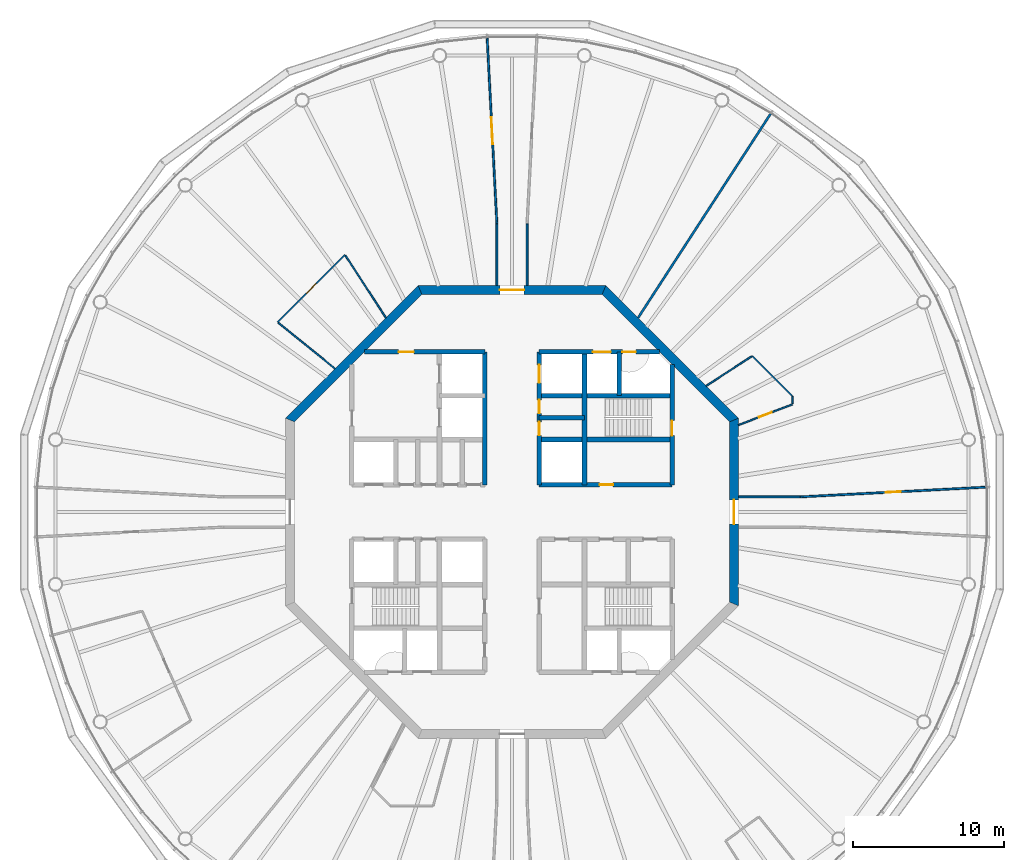
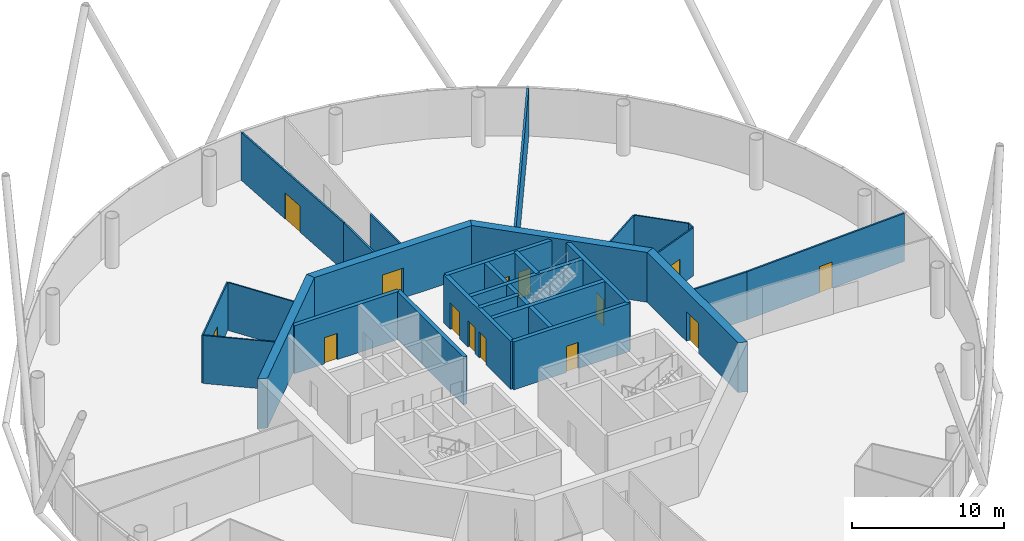
# One storey, part 5 of 13: 28 walls, 14 doors, 14 openings.
"""IFC4 building model written with IfcOpenShell, lengths in metres."""

from ifc_helpers import new_model, si_unit, direction, frame, frame_2d, origin, place, context, subcontext, project, spatial, polyline, rectangle, outline, extrude, material, layer, layer_set, type_object, element, fill, save


model = new_model("IFC4")

# Units and contexts
model_context = context("Model", 3, precision=1e-05, world=origin(), true_north=direction((0.0, 1.0)))
body_context = subcontext(model_context, "Body", "Model", "MODEL_VIEW")
ifc_project = project(units=[si_unit("LENGTHUNIT", "METRE"), si_unit("AREAUNIT", "SQUARE_METRE"), si_unit("VOLUMEUNIT", "CUBIC_METRE"), si_unit("PLANEANGLEUNIT", "RADIAN"), si_unit("MASSUNIT", "GRAM", prefix="KILO")], contexts=[model_context])

# Site, building, storey
site_placement = place(None, origin())
site = spatial("IfcSite", under=ifc_project, at=site_placement, CompositionType="ELEMENT")
building_placement = place(site_placement, origin())
building = spatial("IfcBuilding", under=site, at=building_placement, Name="Entoto Ring Tower", CompositionType="ELEMENT")
storey_placement = place(building_placement, frame((0.0, 0.0, 372.0)))
storey = spatial("IfcBuildingStorey", under=building, at=storey_placement, Name="L86", CompositionType="ELEMENT", Elevation=372.0)

# Wall, opening, door
ifc_material_1 = material(Name="Concrete C40/50", Category="concrete")
ifc_layer_1 = layer(ifc_material_1, 0.300048828125)
ifc_layer_set_1 = layer_set([ifc_layer_1], Name="Concrete C40/50")
wall_type_1 = type_object("IfcWallType", Name="Core enclosure wall 300 mm reinforced concrete", PredefinedType="SOLIDWALL", material=ifc_layer_set_1)
wall_1_placement = place(storey_placement, frame((100.60009765625, 81.800048828125, 0.0), z_axis=(0.0, 0.0, 1.0), x_axis=(0.0, 1.0, 0.0)))
wall_1 = element("IfcWall", 1, at=wall_1_placement, inside=storey, type_object=wall_type_1, Name="wall-L86-002", PredefinedType="SOLIDWALL", context=body_context, shape_type="SweptSolid", body=[
    extrude(rectangle(XDim=7.964599609375, YDim=0.300048828125, at=frame_2d((3.982421875, 0.0))), origin(), (0.0, 0.0, 1.0), 3.85009765625),
])
opening_1_placement = place(wall_1_placement, frame((3.25, 0.0, 0.0)))
opening_1 = element("IfcOpeningElement", 2, at=opening_1_placement, cuts=wall_1, Name="Opening K-26", PredefinedType="OPENING", context=body_context, shape_type="SweptSolid", body=[
    extrude(rectangle(XDim=1.0, YDim=2.10009765625, at=frame_2d((0.5, 1.050048828125))), frame((0.0, 0.16015625, 0.0), z_axis=(0.0, -1.0, 0.0), x_axis=(1.0, 0.0, 0.0)), (0.0, 0.0, 1.0), 0.320068359375),
])
ifc_material_2 = material(Name="Steel door leaf, fire rated", Category="steel")
ifc_layer_2 = layer(ifc_material_2, 0.050048828125)
ifc_layer_set_2 = layer_set([ifc_layer_2], Name="Steel door leaf, fire rated")
door_type_1 = type_object("IfcDoorType", Name="Fire door FD60 1000 x 2100 single leaf", OperationType="NOTDEFINED", PredefinedType="DOOR", material=ifc_layer_set_2)
door_1_placement = place(opening_1_placement, origin())
door_1 = element("IfcDoor", 3, at=door_1_placement, inside=storey, type_object=door_type_1, Name="Door K-26", OperationType="SINGLE_SWING_LEFT", OverallHeight=2.10009765625, OverallWidth=1.0, PredefinedType="DOOR", context=body_context, shape_type="SweptSolid", body=[
    extrude(rectangle(XDim=1.0, YDim=2.10009765625, at=frame_2d((0.5, 1.050048828125))), frame((0.0, 0.02490234375, 0.0), z_axis=(0.0, -1.0, 0.0), x_axis=(1.0, 0.0, 0.0)), (0.0, 0.0, 1.0), 0.050048828125),
])
fill(opening_1, door_1)

# Walls
wall_2_placement = place(storey_placement, frame((97.10009765625, 87.699951171875, 0.0), z_axis=(0.0, 0.0, 1.0), x_axis=(0.0, 1.0, 0.0)))
element("IfcWall", 4, at=wall_2_placement, inside=storey, type_object=wall_type_1, Name="wall-L86-005", PredefinedType="SOLIDWALL", context=body_context, shape_type="SweptSolid", body=[
    extrude(rectangle(XDim=2.900146484375, YDim=0.300048828125, at=frame_2d((1.4501953125, 0.0))), origin(), (0.0, 0.0, 1.0), 3.85009765625),
])
wall_3_placement = place(storey_placement, frame((94.800048828125, 81.800048828125, 0.0), z_axis=(0.0, 0.0, 1.0), x_axis=(0.0, 1.0, 0.0)))
element("IfcWall", 5, at=wall_3_placement, inside=storey, type_object=wall_type_1, Name="wall-L86-007", PredefinedType="SOLIDWALL", context=body_context, shape_type="SweptSolid", body=[
    extrude(rectangle(XDim=8.800048828125, YDim=0.300048828125, at=frame_2d((4.39990234375, 0.0))), origin(), (0.0, 0.0, 1.0), 3.85009765625),
])

# Wall, openings, doors
wall_4_placement = place(storey_placement, frame((91.800048828125, 81.800048828125, 0.0), z_axis=(0.0, 0.0, 1.0), x_axis=(0.0, 1.0, 0.0)))
wall_4 = element("IfcWall", 6, at=wall_4_placement, inside=storey, type_object=wall_type_1, Name="wall-L86-009", PredefinedType="SOLIDWALL", context=body_context, shape_type="SweptSolid", body=[
    extrude(rectangle(XDim=8.800048828125, YDim=0.300048828125, at=frame_2d((4.39990234375, 0.0))), origin(), (0.0, 0.0, 1.0), 3.85009765625),
])
opening_2_placement = place(wall_4_placement, frame((6.75, 0.0, 0.0)))
opening_2 = element("IfcOpeningElement", 7, at=opening_2_placement, cuts=wall_4, Name="Opening LD", PredefinedType="OPENING", context=body_context, shape_type="SweptSolid", body=[
    extrude(rectangle(XDim=1.199951171875, YDim=2.10009765625, at=frame_2d((0.60009765625, 1.050048828125))), frame((0.0, 0.16015625, 0.0), z_axis=(0.0, -1.0, 0.0), x_axis=(1.0, 0.0, 0.0)), (0.0, 0.0, 1.0), 0.320068359375),
])
opening_3_placement = place(wall_4_placement, frame((3.27490234375, 0.0, 0.0)))
opening_3 = element("IfcOpeningElement", 8, at=opening_3_placement, cuts=wall_4, Name="Opening K-18", PredefinedType="OPENING", context=body_context, shape_type="SweptSolid", body=[
    extrude(rectangle(XDim=0.89990234375, YDim=2.10009765625, at=frame_2d((0.449951171875, 1.050048828125))), frame((0.0, 0.16015625, 0.0), z_axis=(0.0, -1.0, 0.0), x_axis=(1.0, 0.0, 0.0)), (0.0, 0.0, 1.0), 0.320068359375),
])
opening_4_placement = place(wall_4_placement, frame((4.72509765625, 0.0, 0.0)))
opening_4 = element("IfcOpeningElement", 9, at=opening_4_placement, cuts=wall_4, Name="Opening K-19", PredefinedType="OPENING", context=body_context, shape_type="SweptSolid", body=[
    extrude(rectangle(XDim=0.89990234375, YDim=2.10009765625, at=frame_2d((0.449951171875, 1.050048828125))), frame((0.0, 0.16015625, 0.0), z_axis=(0.0, -1.0, 0.0), x_axis=(1.0, 0.0, 0.0)), (0.0, 0.0, 1.0), 0.320068359375),
])
ifc_material_3 = material(Name="Steel door leaf, fire rated", Category="steel")
ifc_layer_3 = layer(ifc_material_3, 0.050048828125)
ifc_layer_set_3 = layer_set([ifc_layer_3], Name="Steel door leaf, fire rated")
door_type_2 = type_object("IfcDoorType", Name="Core door 900 x 2100 single leaf", OperationType="NOTDEFINED", PredefinedType="DOOR", material=ifc_layer_set_3)
door_2_placement = place(opening_3_placement, frame((0.89990234375, 0.0, 0.0), z_axis=(0.0, 0.0, 1.0), x_axis=(-1.0, 0.0, 0.0)))
door_2 = element("IfcDoor", 10, at=door_2_placement, inside=storey, type_object=door_type_2, Name="Door K-18", OperationType="SINGLE_SWING_LEFT", OverallHeight=2.10009765625, OverallWidth=0.89990234375, PredefinedType="DOOR", context=body_context, shape_type="SweptSolid", body=[
    extrude(rectangle(XDim=0.89990234375, YDim=2.10009765625, at=frame_2d((0.449951171875, 1.050048828125))), frame((0.0, 0.02490234375, 0.0), z_axis=(0.0, -1.0, 0.0), x_axis=(1.0, 0.0, 0.0)), (0.0, 0.0, 1.0), 0.050048828125),
])
fill(opening_3, door_2)
door_3_placement = place(opening_4_placement, frame((0.89990234375, 0.0, 0.0), z_axis=(0.0, 0.0, 1.0), x_axis=(-1.0, 0.0, 0.0)))
door_3 = element("IfcDoor", 11, at=door_3_placement, inside=storey, type_object=door_type_2, Name="Door K-19", OperationType="SINGLE_SWING_RIGHT", OverallHeight=2.10009765625, OverallWidth=0.89990234375, PredefinedType="DOOR", context=body_context, shape_type="SweptSolid", body=[
    extrude(rectangle(XDim=0.89990234375, YDim=2.10009765625, at=frame_2d((0.449951171875, 1.050048828125))), frame((0.0, 0.02490234375, 0.0), z_axis=(0.0, -1.0, 0.0), x_axis=(1.0, 0.0, 0.0)), (0.0, 0.0, 1.0), 0.050048828125),
])
fill(opening_4, door_3)
ifc_material_4 = material(Name="Steel and glass door leaf", Category="steel")
ifc_layer_4 = layer(ifc_material_4, 0.050048828125)
ifc_layer_set_4 = layer_set([ifc_layer_4], Name="Steel and glass door leaf")
door_type_3 = type_object("IfcDoorType", Name="Landing door 1200 x 2100 sliding", OperationType="DOUBLE_DOOR_SLIDING", PredefinedType="DOOR", material=ifc_layer_set_4)
door_4_placement = place(opening_2_placement, origin())
door_4 = element("IfcDoor", 12, at=door_4_placement, inside=storey, type_object=door_type_3, Name="Landing door SH3", OperationType="SLIDING_TO_RIGHT", OverallHeight=2.10009765625, OverallWidth=1.199951171875, PredefinedType="DOOR", context=body_context, shape_type="SweptSolid", body=[
    extrude(rectangle(XDim=1.199951171875, YDim=2.10009765625, at=frame_2d((0.60009765625, 1.050048828125))), frame((0.0, 0.02490234375, 0.0), z_axis=(0.0, -1.0, 0.0), x_axis=(1.0, 0.0, 0.0)), (0.0, 0.0, 1.0), 0.050048828125),
])
fill(opening_2, door_4)

# Wall
wall_5_placement = place(storey_placement, frame((88.199951171875, 81.800048828125, 0.0), z_axis=(0.0, 0.0, 1.0), x_axis=(0.0, 1.0, 0.0)))
element("IfcWall", 13, at=wall_5_placement, inside=storey, type_object=wall_type_1, Name="wall-L86-011", PredefinedType="SOLIDWALL", context=body_context, shape_type="SweptSolid", body=[
    extrude(rectangle(XDim=8.800048828125, YDim=0.300048828125, at=frame_2d((4.39990234375, 0.0))), origin(), (0.0, 0.0, 1.0), 3.85009765625),
])

# Wall, opening, door
wall_6_placement = place(storey_placement, frame((91.800048828125, 81.800048828125, 0.0), z_axis=(0.0, 0.0, 1.0), x_axis=(1.0, 0.0, 0.0)))
wall_6 = element("IfcWall", 14, at=wall_6_placement, inside=storey, type_object=wall_type_1, Name="wall-L86-031", PredefinedType="SOLIDWALL", context=body_context, shape_type="SweptSolid", body=[
    extrude(rectangle(XDim=8.800048828125, YDim=0.300048828125, at=frame_2d((4.39990234375, 0.0))), origin(), (0.0, 0.0, 1.0), 3.85009765625),
])
opening_5_placement = place(wall_6_placement, frame((4.0, 0.0, 0.0)))
opening_5 = element("IfcOpeningElement", 15, at=opening_5_placement, cuts=wall_6, Name="Opening K-11", PredefinedType="OPENING", context=body_context, shape_type="SweptSolid", body=[
    extrude(rectangle(XDim=0.89990234375, YDim=2.10009765625, at=frame_2d((0.449951171875, 1.050048828125))), frame((0.0, 0.16015625, 0.0), z_axis=(0.0, -1.0, 0.0), x_axis=(1.0, 0.0, 0.0)), (0.0, 0.0, 1.0), 0.320068359375),
])
door_5_placement = place(opening_5_placement, origin())
door_5 = element("IfcDoor", 16, at=door_5_placement, inside=storey, type_object=door_type_2, Name="Door K-11", OperationType="SINGLE_SWING_LEFT", OverallHeight=2.10009765625, OverallWidth=0.89990234375, PredefinedType="DOOR", context=body_context, shape_type="SweptSolid", body=[
    extrude(rectangle(XDim=0.89990234375, YDim=2.10009765625, at=frame_2d((0.449951171875, 1.050048828125))), frame((0.0, 0.02490234375, 0.0), z_axis=(0.0, -1.0, 0.0), x_axis=(1.0, 0.0, 0.0)), (0.0, 0.0, 1.0), 0.050048828125),
])
fill(opening_5, door_5)

# Walls
wall_7_placement = place(storey_placement, frame((91.800048828125, 84.800048828125, 0.0), z_axis=(0.0, 0.0, 1.0), x_axis=(1.0, 0.0, 0.0)))
element("IfcWall", 17, at=wall_7_placement, inside=storey, type_object=wall_type_1, Name="wall-L86-033", PredefinedType="SOLIDWALL", context=body_context, shape_type="SweptSolid", body=[
    extrude(rectangle(XDim=8.800048828125, YDim=0.300048828125, at=frame_2d((4.39990234375, 0.0))), origin(), (0.0, 0.0, 1.0), 3.85009765625),
])
wall_8_placement = place(storey_placement, frame((91.800048828125, 86.25, 0.0), z_axis=(0.0, 0.0, 1.0), x_axis=(1.0, 0.0, 0.0)))
element("IfcWall", 18, at=wall_8_placement, inside=storey, type_object=wall_type_1, Name="wall-L86-034", PredefinedType="SOLIDWALL", context=body_context, shape_type="SweptSolid", body=[
    extrude(rectangle(XDim=3.0, YDim=0.300048828125, at=frame_2d((1.5, 0.0))), origin(), (0.0, 0.0, 1.0), 3.85009765625),
])
wall_9_placement = place(storey_placement, frame((91.800048828125, 87.699951171875, 0.0), z_axis=(0.0, 0.0, 1.0), x_axis=(1.0, 0.0, 0.0)))
element("IfcWall", 19, at=wall_9_placement, inside=storey, type_object=wall_type_1, Name="wall-L86-036", PredefinedType="SOLIDWALL", context=body_context, shape_type="SweptSolid", body=[
    extrude(rectangle(XDim=8.800048828125, YDim=0.300048828125, at=frame_2d((4.39990234375, 0.0))), origin(), (0.0, 0.0, 1.0), 3.85009765625),
])

# Wall, opening, door
wall_10_placement = place(storey_placement, frame((80.2353515625, 90.60009765625, 0.0), z_axis=(0.0, 0.0, 1.0), x_axis=(1.0, 0.0, 0.0)))
wall_10 = element("IfcWall", 20, at=wall_10_placement, inside=storey, type_object=wall_type_1, Name="wall-L86-037", PredefinedType="SOLIDWALL", context=body_context, shape_type="SweptSolid", body=[
    extrude(rectangle(XDim=7.964599609375, YDim=0.300048828125, at=frame_2d((3.982421875, 0.0))), origin(), (0.0, 0.0, 1.0), 3.85009765625),
])
opening_6_placement = place(wall_10_placement, frame((2.2646484375, 0.0, 0.0)))
opening_6 = element("IfcOpeningElement", 21, at=opening_6_placement, cuts=wall_10, Name="Opening K-87", PredefinedType="OPENING", context=body_context, shape_type="SweptSolid", body=[
    extrude(rectangle(XDim=1.0, YDim=2.10009765625, at=frame_2d((0.5, 1.050048828125))), frame((0.0, 0.16015625, 0.0), z_axis=(0.0, -1.0, 0.0), x_axis=(1.0, 0.0, 0.0)), (0.0, 0.0, 1.0), 0.320068359375),
])
door_6_placement = place(opening_6_placement, frame((1.0, 0.0, 0.0), z_axis=(0.0, 0.0, 1.0), x_axis=(-1.0, 0.0, 0.0)))
door_6 = element("IfcDoor", 22, at=door_6_placement, inside=storey, type_object=door_type_1, Name="Door K-87", OperationType="SINGLE_SWING_LEFT", OverallHeight=2.10009765625, OverallWidth=1.0, PredefinedType="DOOR", context=body_context, shape_type="SweptSolid", body=[
    extrude(rectangle(XDim=1.0, YDim=2.10009765625, at=frame_2d((0.5, 1.050048828125))), frame((0.0, 0.02490234375, 0.0), z_axis=(0.0, -1.0, 0.0), x_axis=(1.0, 0.0, 0.0)), (0.0, 0.0, 1.0), 0.050048828125),
])
fill(opening_6, door_6)

# Wall, openings, doors
wall_11_placement = place(storey_placement, frame((91.800048828125, 90.60009765625, 0.0), z_axis=(0.0, 0.0, 1.0), x_axis=(1.0, 0.0, 0.0)))
wall_11 = element("IfcWall", 23, at=wall_11_placement, inside=storey, type_object=wall_type_1, Name="wall-L86-038", PredefinedType="SOLIDWALL", context=body_context, shape_type="SweptSolid", body=[
    extrude(rectangle(XDim=7.964599609375, YDim=0.300048828125, at=frame_2d((3.982421875, 0.0))), origin(), (0.0, 0.0, 1.0), 3.85009765625),
])
opening_7_placement = place(wall_11_placement, frame((3.550048828125, 0.0, 0.0)))
opening_7 = element("IfcOpeningElement", 24, at=opening_7_placement, cuts=wall_11, Name="Opening LD", PredefinedType="OPENING", context=body_context, shape_type="SweptSolid", body=[
    extrude(rectangle(XDim=1.199951171875, YDim=2.10009765625, at=frame_2d((0.60009765625, 1.050048828125))), frame((0.0, 0.16015625, 0.0), z_axis=(0.0, -1.0, 0.0), x_axis=(1.0, 0.0, 0.0)), (0.0, 0.0, 1.0), 0.320068359375),
])
opening_8_placement = place(wall_11_placement, frame((5.5, 0.0, 0.0)))
opening_8 = element("IfcOpeningElement", 25, at=opening_8_placement, cuts=wall_11, Name="Opening K-83", PredefinedType="OPENING", context=body_context, shape_type="SweptSolid", body=[
    extrude(rectangle(XDim=0.89990234375, YDim=2.10009765625, at=frame_2d((0.449951171875, 1.050048828125))), frame((0.0, 0.16015625, 0.0), z_axis=(0.0, -1.0, 0.0), x_axis=(1.0, 0.0, 0.0)), (0.0, 0.0, 1.0), 0.320068359375),
])
door_7_placement = place(opening_7_placement, origin())
door_7 = element("IfcDoor", 26, at=door_7_placement, inside=storey, type_object=door_type_3, Name="Landing door LB1-HR", OperationType="SLIDING_TO_RIGHT", OverallHeight=2.10009765625, OverallWidth=1.199951171875, PredefinedType="DOOR", context=body_context, shape_type="SweptSolid", body=[
    extrude(rectangle(XDim=1.199951171875, YDim=2.10009765625, at=frame_2d((0.60009765625, 1.050048828125))), frame((0.0, 0.02490234375, 0.0), z_axis=(0.0, -1.0, 0.0), x_axis=(1.0, 0.0, 0.0)), (0.0, 0.0, 1.0), 0.050048828125),
])
fill(opening_7, door_7)
ifc_material_5 = material(Name="Steel door leaf, fire rated", Category="steel")
ifc_layer_5 = layer(ifc_material_5, 0.050048828125)
ifc_layer_set_5 = layer_set([ifc_layer_5], Name="Steel door leaf, fire rated")
door_type_4 = type_object("IfcDoorType", Name="Riser door FD60 900 x 2100 single leaf", OperationType="NOTDEFINED", PredefinedType="DOOR", material=ifc_layer_set_5)
door_8_placement = place(opening_8_placement, frame((0.89990234375, 0.0, 0.0), z_axis=(0.0, 0.0, 1.0), x_axis=(-1.0, 0.0, 0.0)))
door_8 = element("IfcDoor", 27, at=door_8_placement, inside=storey, type_object=door_type_4, Name="Door K-83", OperationType="SINGLE_SWING_RIGHT", OverallHeight=2.10009765625, OverallWidth=0.89990234375, PredefinedType="DOOR", context=body_context, shape_type="SweptSolid", body=[
    extrude(rectangle(XDim=0.89990234375, YDim=2.10009765625, at=frame_2d((0.449951171875, 1.050048828125))), frame((0.0, 0.02490234375, 0.0), z_axis=(0.0, -1.0, 0.0), x_axis=(1.0, 0.0, 0.0)), (0.0, 0.0, 1.0), 0.050048828125),
])
fill(opening_8, door_8)

# Wall, opening, door
ifc_material_6 = material(Name="Concrete C40/50", Category="concrete")
ifc_layer_6 = layer(ifc_material_6, 0.60009765625)
ifc_layer_set_6 = layer_set([ifc_layer_6], Name="Concrete C40/50")
wall_type_2 = type_object("IfcWallType", Name="Core shear wall 600 mm reinforced concrete C40/50", PredefinedType="SHEAR", material=ifc_layer_set_6)
wall_12_placement = place(storey_placement, frame((104.699951171875, 73.9111328125, 0.0), z_axis=(0.0, 0.0, 1.0), x_axis=(0.0, 1.0, 0.0)))
wall_12 = element("IfcWall", 28, at=wall_12_placement, inside=storey, type_object=wall_type_2, Name="wall-L86-core-0", PredefinedType="SHEAR", context=body_context, shape_type="SweptSolid", body=[
    extrude(outline(polyline([(-0.124267578125, -0.300048828125), (12.302001953125, -0.300048828125), (12.053466796875, 0.300048828125), (0.124267578125, 0.300048828125), (-0.124267578125, -0.300048828125)])), origin(), (0.0, 0.0, 1.0), 4.0),
])
opening_9_placement = place(wall_12_placement, frame((5.288818359375, 0.0, 0.0)))
opening_9 = element("IfcOpeningElement", 29, at=opening_9_placement, cuts=wall_12, Name="Opening K-01", PredefinedType="OPENING", context=body_context, shape_type="SweptSolid", body=[
    extrude(rectangle(XDim=1.60009765625, YDim=2.39990234375, at=frame_2d((0.800048828125, 1.199951171875))), frame((0.0, 0.31005859375, 0.0), z_axis=(0.0, -1.0, 0.0), x_axis=(1.0, 0.0, 0.0)), (0.0, 0.0, 1.0), 0.6201171875),
])
ifc_material_7 = material(Name="Steel door leaf, fire rated", Category="steel")
ifc_layer_7 = layer(ifc_material_7, 0.050048828125)
ifc_layer_set_7 = layer_set([ifc_layer_7], Name="Steel door leaf, fire rated")
door_type_5 = type_object("IfcDoorType", Name="Entrance door FD60 1600 x 2400 double leaf", OperationType="DOUBLE_DOOR_SINGLE_SWING", PredefinedType="DOOR", material=ifc_layer_set_7)
door_9_placement = place(opening_9_placement, origin())
door_9 = element("IfcDoor", 30, at=door_9_placement, inside=storey, type_object=door_type_5, Name="Entrance door K-01", OperationType="DOUBLE_DOOR_SINGLE_SWING", OverallHeight=2.39990234375, OverallWidth=1.60009765625, PredefinedType="DOOR", context=body_context, shape_type="SweptSolid", body=[
    extrude(rectangle(XDim=1.60009765625, YDim=2.39990234375, at=frame_2d((0.800048828125, 1.199951171875))), frame((0.0, 0.02490234375, 0.0), z_axis=(0.0, -1.0, 0.0), x_axis=(1.0, 0.0, 0.0)), (0.0, 0.0, 1.0), 0.050048828125),
])
fill(opening_9, door_9)

# Wall
wall_13_placement = place(storey_placement, frame((104.699951171875, 86.0888671875, 0.0), z_axis=(0.0, 0.0, 1.0), x_axis=(-0.707106781187, 0.707106781187, 0.0)))
element("IfcWall", 31, at=wall_13_placement, inside=storey, type_object=wall_type_2, Name="wall-L86-core-1", PredefinedType="SHEAR", context=body_context, shape_type="SweptSolid", body=[
    extrude(outline(polyline([(-0.124267578125, -0.300048828125), (12.30224609375, -0.300048828125), (12.0537109375, 0.300048828125), (0.124267578125, 0.300048828125), (-0.124267578125, -0.300048828125)])), origin(), (0.0, 0.0, 1.0), 4.0),
])

# Wall, opening, door
wall_14_placement = place(storey_placement, frame((96.0888671875, 94.699951171875, 0.0), z_axis=(0.0, 0.0, 1.0), x_axis=(-1.0, 0.0, 0.0)))
wall_14 = element("IfcWall", 32, at=wall_14_placement, inside=storey, type_object=wall_type_2, Name="wall-L86-core-2", PredefinedType="SHEAR", context=body_context, shape_type="SweptSolid", body=[
    extrude(outline(polyline([(-0.124267578125, -0.300048828125), (12.302001953125, -0.300048828125), (12.053466796875, 0.300048828125), (0.124267578125, 0.300048828125), (-0.124267578125, -0.300048828125)])), origin(), (0.0, 0.0, 1.0), 4.0),
])
opening_10_placement = place(wall_14_placement, frame((5.288818359375, 0.0, 0.0)))
opening_10 = element("IfcOpeningElement", 33, at=opening_10_placement, cuts=wall_14, Name="Opening K-02", PredefinedType="OPENING", context=body_context, shape_type="SweptSolid", body=[
    extrude(rectangle(XDim=1.60009765625, YDim=2.39990234375, at=frame_2d((0.800048828125, 1.199951171875))), frame((0.0, 0.31005859375, 0.0), z_axis=(0.0, -1.0, 0.0), x_axis=(1.0, 0.0, 0.0)), (0.0, 0.0, 1.0), 0.6201171875),
])
door_10_placement = place(opening_10_placement, origin())
door_10 = element("IfcDoor", 34, at=door_10_placement, inside=storey, type_object=door_type_5, Name="Entrance door K-02", OperationType="DOUBLE_DOOR_SINGLE_SWING", OverallHeight=2.39990234375, OverallWidth=1.60009765625, PredefinedType="DOOR", context=body_context, shape_type="SweptSolid", body=[
    extrude(rectangle(XDim=1.60009765625, YDim=2.39990234375, at=frame_2d((0.800048828125, 1.199951171875))), frame((0.0, 0.02490234375, 0.0), z_axis=(0.0, -1.0, 0.0), x_axis=(1.0, 0.0, 0.0)), (0.0, 0.0, 1.0), 0.050048828125),
])
fill(opening_10, door_10)

# Wall
wall_15_placement = place(storey_placement, frame((83.9111328125, 94.699951171875, 0.0), z_axis=(0.0, 0.0, 1.0), x_axis=(-0.707106781187, -0.707106781187, 0.0)))
element("IfcWall", 35, at=wall_15_placement, inside=storey, type_object=wall_type_2, Name="wall-L86-core-3", PredefinedType="SHEAR", context=body_context, shape_type="SweptSolid", body=[
    extrude(outline(polyline([(-0.124267578125, -0.300048828125), (12.30224609375, -0.300048828125), (12.0537109375, 0.300048828125), (0.124267578125, 0.300048828125), (-0.124267578125, -0.300048828125)])), origin(), (0.0, 0.0, 1.0), 4.0),
])

# Wall, opening, door
ifc_material_8 = material(Name="Fire-resisting plasterboard on steel studs", Category="steel")
ifc_layer_8 = layer(ifc_material_8, 0.125)
ifc_layer_set_8 = layer_set([ifc_layer_8], Name="Fire-resisting plasterboard on steel studs")
wall_type_3 = type_object("IfcWallType", Name="Corridor wall 125 mm one-hour plasterboard on steel studs", PredefinedType="PARTITIONING", material=ifc_layer_set_8)
wall_16_placement = place(storey_placement, frame((89.0, 99.0810546875, 0.0), z_axis=(0.0, 0.0, 1.0), x_axis=(-0.052340638328, 0.998629289366, 0.0)))
wall_16 = element("IfcWall", 36, at=wall_16_placement, inside=storey, type_object=wall_type_3, Name="partition-L86-004", PredefinedType="PARTITIONING", context=body_context, shape_type="SweptSolid", body=[
    extrude(rectangle(XDim=12.332763671875, YDim=0.125, at=frame_2d((6.16650390625, 0.0))), origin(), (0.0, 0.0, 1.0), 3.85009765625),
])
opening_11_placement = place(wall_16_placement, frame((5.266357421875, 0.0, 0.0)))
opening_11 = element("IfcOpeningElement", 37, at=opening_11_placement, cuts=wall_16, Name="Opening A37-D04", PredefinedType="OPENING", context=body_context, shape_type="SweptSolid", body=[
    extrude(rectangle(XDim=1.800048828125, YDim=2.10009765625, at=frame_2d((0.89990234375, 1.050048828125))), frame((0.0, 0.072509765625, 0.0), z_axis=(0.0, -1.0, 0.0), x_axis=(1.0, 0.0, 0.0)), (0.0, 0.0, 1.0), 0.14501953125),
])
ifc_material_9 = material(Name="Fire-resisting timber door set", Category="wood")
door_type_6 = type_object("IfcDoorType", Name="Door 1800 x 2100 double leaf FD30S fire door", OperationType="DOUBLE_DOOR_SINGLE_SWING", PredefinedType="DOOR", material=ifc_material_9)
door_11_placement = place(opening_11_placement, frame((1.800048828125, 0.0, 0.0), z_axis=(0.0, 0.0, 1.0), x_axis=(-1.0, 0.0, 0.0)))
door_11 = element("IfcDoor", 38, at=door_11_placement, inside=storey, type_object=door_type_6, Name="Door A37-D04", OperationType="DOUBLE_DOOR_SINGLE_SWING", OverallHeight=2.10009765625, OverallWidth=1.800048828125, PredefinedType="DOOR", context=body_context, shape_type="SweptSolid", body=[
    extrude(rectangle(XDim=1.800048828125, YDim=2.10009765625, at=frame_2d((0.89990234375, 1.050048828125))), frame((0.0, 0.02490234375, 0.0), z_axis=(0.0, -1.0, 0.0), x_axis=(1.0, 0.0, 0.0)), (0.0, 0.0, 1.0), 0.050048828125),
])
fill(opening_11, door_11)

wall_17_placement = place(storey_placement, frame((109.0810546875, 81.0, 0.0), z_axis=(0.0, 0.0, 1.0), x_axis=(0.998629289366, 0.052340638328, 0.0)))
wall_17 = element("IfcWall", 39, at=wall_17_placement, inside=storey, type_object=wall_type_3, Name="partition-L86-007", PredefinedType="PARTITIONING", context=body_context, shape_type="SweptSolid", body=[
    extrude(rectangle(XDim=12.332763671875, YDim=0.125, at=frame_2d((6.16650390625, 0.0))), origin(), (0.0, 0.0, 1.0), 3.85009765625),
])
opening_12_placement = place(wall_17_placement, frame((5.666259765625, 0.0, 0.0)))
opening_12 = element("IfcOpeningElement", 40, at=opening_12_placement, cuts=wall_17, Name="Opening A37-D01", PredefinedType="OPENING", context=body_context, shape_type="SweptSolid", body=[
    extrude(rectangle(XDim=1.0, YDim=2.10009765625, at=frame_2d((0.5, 1.050048828125))), frame((0.0, 0.072509765625, 0.0), z_axis=(0.0, -1.0, 0.0), x_axis=(1.0, 0.0, 0.0)), (0.0, 0.0, 1.0), 0.14501953125),
])
ifc_material_10 = material(Name="Fire-resisting timber door set", Category="wood")
door_type_7 = type_object("IfcDoorType", Name="Door 1000 x 2100 single leaf FD30S fire door", OperationType="NOTDEFINED", PredefinedType="DOOR", material=ifc_material_10)
door_12_placement = place(opening_12_placement, origin())
door_12 = element("IfcDoor", 41, at=door_12_placement, inside=storey, type_object=door_type_7, Name="Door A37-D01", OperationType="SINGLE_SWING_RIGHT", OverallHeight=2.10009765625, OverallWidth=1.0, PredefinedType="DOOR", context=body_context, shape_type="SweptSolid", body=[
    extrude(rectangle(XDim=1.0, YDim=2.10009765625, at=frame_2d((0.5, 1.050048828125))), frame((0.0, 0.02490234375, 0.0), z_axis=(0.0, -1.0, 0.0), x_axis=(1.0, 0.0, 0.0)), (0.0, 0.0, 1.0), 0.050048828125),
])
fill(opening_12, door_12)

# Walls
for number, where, z_axis, x_axis, name in (
    (42, (89.0, 95.0, 0.0), (0.0, 0.0, 1.0), (0.0, 1.0, 0.0), "partition-L86-012"),
    (43, (91.0, 95.0, 0.0), (0.0, 0.0, 1.0), (0.0, 1.0, 0.0), "partition-L86-014"),
    (44, (105.0, 81.0, 0.0), (0.0, 0.0, 1.0), (1.0, 0.0, 0.0), "partition-L86-016"),
):
    element("IfcWall", number, at=place(storey_placement, frame(where, z_axis=z_axis, x_axis=x_axis)), inside=storey, type_object=wall_type_3, Name=name, PredefinedType="PARTITIONING", context=body_context, shape_type="SweptSolid", body=[
        extrude(rectangle(XDim=4.077880859375, YDim=0.125, at=frame_2d((2.0390625, 0.0))), origin(), (0.0, 0.0, 1.0), 3.85009765625),
    ])

# Wall, opening, door
ifc_material_11 = material(Name="Plasterboard on steel studs", Category="steel")
ifc_layer_9 = layer(ifc_material_11, 0.10009765625)
ifc_layer_set_9 = layer_set([ifc_layer_9], Name="Plasterboard on steel studs")
wall_type_4 = type_object("IfcWallType", Name="Partition 100 mm plasterboard on steel studs", PredefinedType="PARTITIONING", material=ifc_layer_set_9)
wall_18_placement = place(storey_placement, frame((74.48095703125, 92.567138671875, 0.0), z_axis=(0.0, 0.0, 1.0), x_axis=(0.707106781187, 0.707106781187, 0.0)))
wall_18 = element("IfcWall", 45, at=wall_18_placement, inside=storey, type_object=wall_type_4, Name="partition-L86-020", PredefinedType="PARTITIONING", context=body_context, shape_type="SweptSolid", body=[
    extrude(rectangle(XDim=6.308837890625, YDim=0.10009765625, at=frame_2d((3.154296875, 0.0))), origin(), (0.0, 0.0, 1.0), 3.85009765625),
])
opening_13_placement = place(wall_18_placement, frame((2.704345703125, 0.0, 0.0)))
opening_13 = element("IfcOpeningElement", 46, at=opening_13_placement, cuts=wall_18, Name="Opening A37-D05", PredefinedType="OPENING", context=body_context, shape_type="SweptSolid", body=[
    extrude(rectangle(XDim=0.89990234375, YDim=2.10009765625, at=frame_2d((0.449951171875, 1.050048828125))), frame((0.0, 0.06005859375, 0.0), z_axis=(0.0, -1.0, 0.0), x_axis=(1.0, 0.0, 0.0)), (0.0, 0.0, 1.0), 0.1201171875),
])
ifc_material_12 = material(Name="Veneered timber door leaf in timber frame", Category="wood")
door_type_8 = type_object("IfcDoorType", Name="Door 900 x 2100 single leaf timber veneer", OperationType="NOTDEFINED", PredefinedType="DOOR", material=ifc_material_12)
door_13_placement = place(opening_13_placement, frame((0.89990234375, 0.0, 0.0), z_axis=(0.0, 0.0, 1.0), x_axis=(-1.0, 0.0, 0.0)))
door_13 = element("IfcDoor", 47, at=door_13_placement, inside=storey, type_object=door_type_8, Name="Door A37-D05", OperationType="SINGLE_SWING_LEFT", OverallHeight=2.10009765625, OverallWidth=0.89990234375, PredefinedType="DOOR", context=body_context, shape_type="SweptSolid", body=[
    extrude(rectangle(XDim=0.89990234375, YDim=2.10009765625, at=frame_2d((0.449951171875, 1.050048828125))), frame((0.0, 0.02490234375, 0.0), z_axis=(0.0, -1.0, 0.0), x_axis=(1.0, 0.0, 0.0)), (0.0, 0.0, 1.0), 0.050048828125),
])
fill(opening_13, door_13)

# Walls
wall_19_placement = place(storey_placement, frame((81.64794921875, 92.861083984375, 0.0), z_axis=(0.0, 0.0, 1.0), x_axis=(-0.544659528562, 0.838657258924, 0.0)))
element("IfcWall", 48, at=wall_19_placement, inside=storey, type_object=wall_type_4, Name="partition-L86-025", PredefinedType="PARTITIONING", context=body_context, shape_type="SweptSolid", body=[
    extrude(rectangle(XDim=4.906982421875, YDim=0.10009765625, at=frame_2d((2.45361328125, 0.0))), origin(), (0.0, 0.0, 1.0), 3.85009765625),
])
wall_20_placement = place(storey_placement, frame((78.278564453125, 89.49169921875, 0.0), z_axis=(0.0, 0.0, 1.0), x_axis=(-0.777137772297, 0.629330503686, 0.0)))
element("IfcWall", 49, at=wall_20_placement, inside=storey, type_object=wall_type_4, Name="partition-L86-026", PredefinedType="PARTITIONING", context=body_context, shape_type="SweptSolid", body=[
    extrude(rectangle(XDim=4.831298828125, YDim=0.10009765625, at=frame_2d((2.41552734375, 0.0))), origin(), (0.0, 0.0, 1.0), 3.85009765625),
])

# Wall, opening, door
wall_21_placement = place(storey_placement, frame((105.0, 85.758056640625, 0.0), z_axis=(0.0, 0.0, 1.0), x_axis=(0.933591250886, 0.358339749774, 0.0)))
wall_21 = element("IfcWall", 50, at=wall_21_placement, inside=storey, type_object=wall_type_4, Name="partition-L86-029", PredefinedType="PARTITIONING", context=body_context, shape_type="SweptSolid", body=[
    extrude(rectangle(XDim=3.813232421875, YDim=0.10009765625, at=frame_2d((1.90673828125, 0.0))), origin(), (0.0, 0.0, 1.0), 3.85009765625),
])
opening_14_placement = place(wall_21_placement, frame((1.45654296875, 0.0, 0.0)))
opening_14 = element("IfcOpeningElement", 51, at=opening_14_placement, cuts=wall_21, Name="Opening A37-D02", PredefinedType="OPENING", context=body_context, shape_type="SweptSolid", body=[
    extrude(rectangle(XDim=0.89990234375, YDim=2.10009765625, at=frame_2d((0.449951171875, 1.050048828125))), frame((0.0, 0.06005859375, 0.0), z_axis=(0.0, -1.0, 0.0), x_axis=(1.0, 0.0, 0.0)), (0.0, 0.0, 1.0), 0.1201171875),
])
door_14_placement = place(opening_14_placement, origin())
door_14 = element("IfcDoor", 52, at=door_14_placement, inside=storey, type_object=door_type_8, Name="Door A37-D02", OperationType="SINGLE_SWING_LEFT", OverallHeight=2.10009765625, OverallWidth=0.89990234375, PredefinedType="DOOR", context=body_context, shape_type="SweptSolid", body=[
    extrude(rectangle(XDim=0.89990234375, YDim=2.10009765625, at=frame_2d((0.449951171875, 1.050048828125))), frame((0.0, 0.02490234375, 0.0), z_axis=(0.0, -1.0, 0.0), x_axis=(1.0, 0.0, 0.0)), (0.0, 0.0, 1.0), 0.050048828125),
])
fill(opening_14, door_14)

# Walls
wall_22_placement = place(storey_placement, frame((108.56005859375, 87.687744140625, 0.0), z_axis=(0.0, 0.0, 1.0), x_axis=(-0.707106781187, 0.707106781187, 0.0)))
element("IfcWall", 53, at=wall_22_placement, inside=storey, type_object=wall_type_4, Name="partition-L86-030", PredefinedType="PARTITIONING", context=body_context, shape_type="SweptSolid", body=[
    extrude(rectangle(XDim=3.74267578125, YDim=0.10009765625, at=frame_2d((1.871337890625, 0.0))), origin(), (0.0, 0.0, 1.0), 3.85009765625),
])
wall_23_placement = place(storey_placement, frame((102.861083984375, 88.35205078125, 0.0), z_axis=(0.0, 0.0, 1.0), x_axis=(0.838684315436, 0.544617865151, 0.0)))
element("IfcWall", 54, at=wall_23_placement, inside=storey, type_object=wall_type_4, Name="partition-L86-031", PredefinedType="PARTITIONING", context=body_context, shape_type="SweptSolid", body=[
    extrude(rectangle(XDim=3.5908203125, YDim=0.10009765625, at=frame_2d((1.79541015625, 0.0))), origin(), (0.0, 0.0, 1.0), 3.85009765625),
])
wall_24_placement = place(storey_placement, frame((108.56005859375, 87.1708984375, 0.0), z_axis=(0.0, 0.0, 1.0), x_axis=(0.0, 1.0, 0.0)))
element("IfcWall", 55, at=wall_24_placement, inside=storey, type_object=wall_type_4, Name="partition-L86-035", PredefinedType="PARTITIONING", context=body_context, shape_type="SweptSolid", body=[
    extrude(rectangle(XDim=0.481689453125, YDim=0.10009765625, at=frame_2d((0.24072265625, 0.0))), origin(), (0.0, 0.0, 1.0), 3.85009765625),
])
ifc_material_13 = material(Name="Fire-resisting acoustic plasterboard on steel studs", Category="steel")
ifc_layer_10 = layer(ifc_material_13, 0.14990234375)
ifc_layer_set_10 = layer_set([ifc_layer_10], Name="Fire-resisting acoustic plasterboard on steel studs")
wall_type_5 = type_object("IfcWallType", Name="Party wall 150 mm one-hour acoustic plasterboard on steel studs", PredefinedType="PARTITIONING", material=ifc_layer_set_10)
wall_25_placement = place(storey_placement, frame((98.35205078125, 92.861083984375, 0.0), z_axis=(0.0, 0.0, 1.0), x_axis=(0.54464089364, 0.838669360937, 0.0)))
element("IfcWall", 56, at=wall_25_placement, inside=storey, type_object=wall_type_5, Name="partition-L86-018", PredefinedType="PARTITIONING", context=body_context, shape_type="SweptSolid", body=[
    extrude(rectangle(XDim=16.10498046875, YDim=0.14990234375, at=frame_2d((8.052490234375, 0.0))), origin(), (0.0, 0.0, 1.0), 3.85009765625),
])

save(model, "model.ifc")
